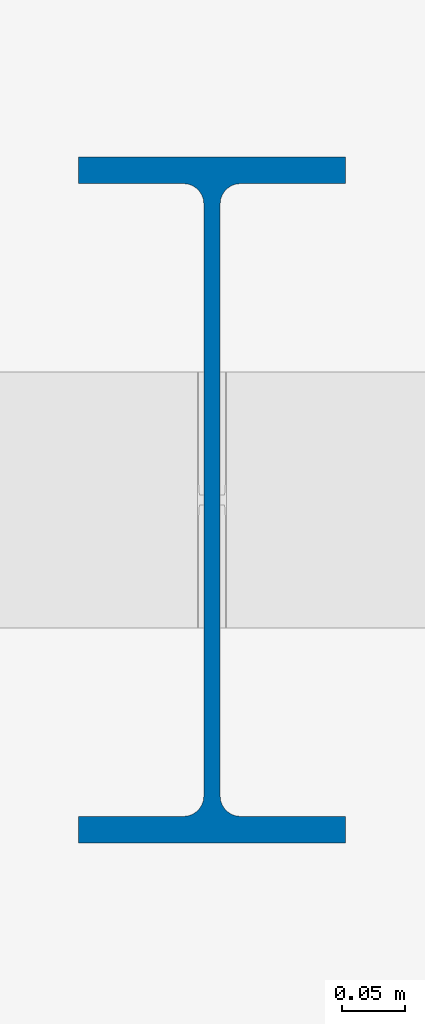
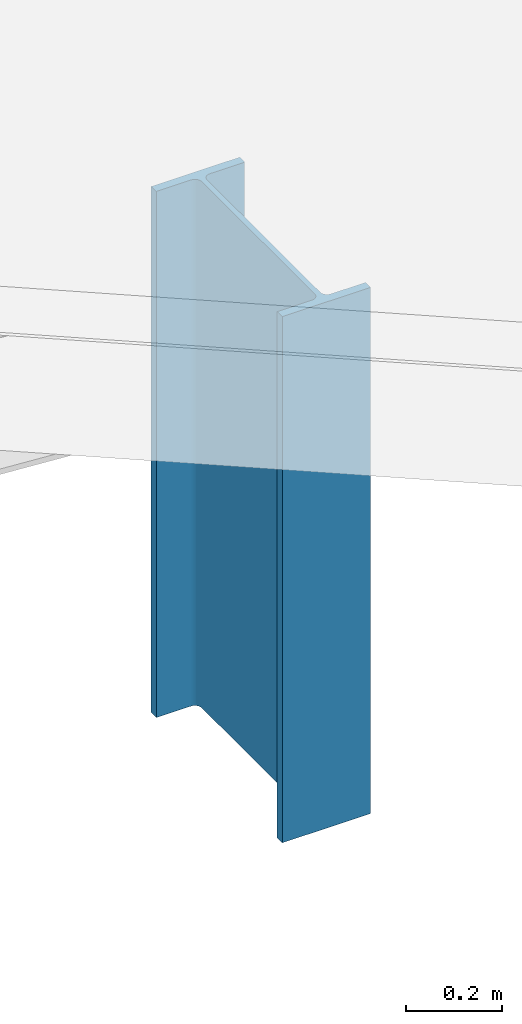
# One storey, part 11 of 136: 1 column.
"""IFC4 building model written with IfcOpenShell, lengths in metres."""

import ifcopenshell
import ifcopenshell.guid

model = None  # the IFC model being written
_history = None  # IfcOwnerHistory: only IFC2X3 demands one
_inside = {}  # id of a spatial element -> (the spatial element, [elements in it])
_under = {}  # id of a project, library or spatial element -> (it, [spatial elements below it])
_declared = {}  # id of a project -> (the project, [libraries it declares])
_typed = {}  # id of a type object -> (the type object, [elements of that type])
_made_of = {}  # id of a material, layer set ... -> (it, [elements and type objects made of it])


def new_model(schema):
    """Start an empty IFC model of exactly this schema.

    Asked for "IFC4X3", IfcOpenShell would pick the latest addendum, in which some entities
    have other attributes; the version numbers below select the first issue.
    IFC2X3 requires an IfcOwnerHistory on every rooted entity: one is made here for all.
    """
    global model, _history
    if schema == "IFC4X3":
        model = ifcopenshell.file(schema_version=(4, 3, 0, 0))
    else:
        model = ifcopenshell.file(schema=schema)
    _inside.clear()
    _under.clear()
    _declared.clear()
    _typed.clear()
    _made_of.clear()
    _history = None
    if model.schema == "IFC2X3":
        org = make("IfcOrganization", Name="unknown")
        user = make(
            "IfcPersonAndOrganization",
            ThePerson=make("IfcPerson", FamilyName="unknown"),
            TheOrganization=org,
        )
        app = make(
            "IfcApplication",
            ApplicationDeveloper=org,
            Version="unknown",
            ApplicationFullName="unknown",
            ApplicationIdentifier="unknown",
        )
        _history = make(
            "IfcOwnerHistory",
            OwningUser=user,
            OwningApplication=app,
            ChangeAction="ADDED",
            CreationDate=0,
        )
    return model


def make(cls, **values):
    """One entity of the class cls with the attributes given. An attribute that is None is left unset."""
    return model.create_entity(
        cls, **{name: value for name, value in values.items() if value is not None}
    )


def rooted(cls, **values):
    """An entity with a GlobalId (a new one), such as an element, a storey or a relation."""
    return make(cls, GlobalId=ifcopenshell.guid.new(), OwnerHistory=_history, **values)


def si_unit(unit_type, name, prefix=None):
    """IfcSIUnit, for example si_unit("LENGTHUNIT", "METRE", prefix="MILLI")."""
    return make("IfcSIUnit", UnitType=unit_type, Prefix=prefix, Name=name)


def assignment(units):
    """IfcUnitAssignment: the units of a project."""
    return None if units is None else make("IfcUnitAssignment", Units=units)


def point(xyz):
    """IfcCartesianPoint."""
    return None if xyz is None else make("IfcCartesianPoint", Coordinates=xyz)


def direction(xyz):
    """IfcDirection."""
    return None if xyz is None else make("IfcDirection", DirectionRatios=xyz)


def frame(location, z_axis=None, x_axis=None):
    """IfcAxis2Placement3D, a coordinate frame: its origin and axes. An axis left out is left unset."""
    return make(
        "IfcAxis2Placement3D",
        Location=point(location),
        Axis=direction(z_axis),
        RefDirection=direction(x_axis),
    )


def frame_2d(location, x_axis=None):
    """IfcAxis2Placement2D, a coordinate frame in the plane: its origin and x axis."""
    return make(
        "IfcAxis2Placement2D", Location=point(location), RefDirection=direction(x_axis)
    )


def origin():
    """The frame at (0, 0, 0) with its axes left unset."""
    return frame((0.0, 0.0, 0.0))


def origin_2d():
    """The frame at (0, 0) in the plane with its x axis left unset."""
    return frame_2d((0.0, 0.0))


def place(relative_to, where):
    """IfcLocalPlacement: puts the frame where relative to a parent placement (None: the world)."""
    return make(
        "IfcLocalPlacement", PlacementRelTo=relative_to, RelativePlacement=where
    )


def context(
    kind, dimensions, precision=None, world=None, true_north=None, identifier=None
):
    """IfcGeometricRepresentationContext, for example the 3D "Model" context."""
    return make(
        "IfcGeometricRepresentationContext",
        ContextIdentifier=identifier,
        ContextType=kind,
        CoordinateSpaceDimension=dimensions,
        Precision=precision,
        WorldCoordinateSystem=world,
        TrueNorth=true_north,
    )


def subcontext(parent, identifier, kind, view, scale=None):
    """IfcGeometricRepresentationSubContext, for example "Body" below "Model"."""
    return make(
        "IfcGeometricRepresentationSubContext",
        ContextIdentifier=identifier,
        ContextType=kind,
        ParentContext=parent,
        TargetScale=scale,
        TargetView=view,
    )


def project(units=None, contexts=None):
    """IfcProject with its units and contexts."""
    return rooted(
        "IfcProject",
        Name="project",
        RepresentationContexts=contexts,
        UnitsInContext=assignment(units),
    )


def spatial(cls, under=None, at=None, **own):
    """A site, building, storey or space (cls), placed at a placement, below another one or the project."""
    s = rooted(cls, ObjectPlacement=at, **own)
    if under is not None:
        _under.setdefault(under.id(), (under, []))[1].append(s)
    return s


def profile(cls, at=None, kind="AREA", **sizes):
    """A parametric profile (cls). Its sizes go by their IFC names, for example OverallWidth=200.0."""
    return make(cls, ProfileType=kind, Position=at, **sizes)


def i_section(**sizes):
    """IfcIShapeProfileDef."""
    return profile("IfcIShapeProfileDef", **sizes)


def extrude(swept, where, along, depth):
    """IfcExtrudedAreaSolid: the profile swept, set in the frame where, extruded along a direction by depth."""
    return make(
        "IfcExtrudedAreaSolid",
        SweptArea=swept,
        Position=where,
        ExtrudedDirection=direction(along),
        Depth=depth,
    )


def shape(context_of_items, identifier, shape_type, items):
    """IfcShapeRepresentation: the items that make up one representation, for example the "Body"."""
    return make(
        "IfcShapeRepresentation",
        ContextOfItems=context_of_items,
        RepresentationIdentifier=identifier,
        RepresentationType=shape_type,
        Items=items,
    )


def material(Name=None, Category=None):
    """IfcMaterial."""
    return make("IfcMaterial", Name=Name, Category=Category)


def material_profile(
    of_material, cross_section, Name=None, Category=None, Priority=None
):
    """IfcMaterialProfile: a cross section and its material."""
    return make(
        "IfcMaterialProfile",
        Name=Name,
        Material=of_material,
        Profile=cross_section,
        Priority=Priority,
        Category=Category,
    )


def profile_set(profiles, Name=None, composite=None):
    """IfcMaterialProfileSet."""
    return make(
        "IfcMaterialProfileSet",
        Name=Name,
        MaterialProfiles=profiles,
        CompositeProfile=composite,
    )


def made_of(thing, what):
    """Note that an element or type object is made of a material, layer set ...; save() writes the relation."""
    if what is not None:
        _made_of.setdefault(what.id(), (what, []))[1].append(thing)
    return thing


def type_object(cls, material=None, **own):
    """A type object (cls), such as IfcWallType, which elements share."""
    return made_of(rooted(cls, **own), material)


def element(
    cls,
    number,
    at=None,
    inside=None,
    cuts=None,
    type_object=None,
    material=None,
    context=None,
    identifier="Body",
    shape_type=None,
    held_by="IfcProductDefinitionShape",
    body=None,
    shapes=None,
    **own,
):
    """One element of the class cls, such as IfcWall. Its Tag is "e" and its number.

    at: its placement. inside: the storey or other place that contains it. cuts: it is an
    opening in that element (IfcRelVoidsElement). A single representation is given by context,
    identifier, shape_type and body (its items); several are given by shapes. held_by: the class
    of the entity that holds the representations. save() writes the other relations.
    """
    e = rooted(cls, Tag="e%d" % number, ObjectPlacement=at, **own)
    if body is not None:
        shapes = [shape(context, identifier, shape_type, body)]
    if shapes is not None:
        e.Representation = make(held_by, Representations=shapes)
    if inside is not None:
        _inside.setdefault(inside.id(), (inside, []))[1].append(e)
    if cuts is not None:
        rooted(
            "IfcRelVoidsElement", RelatingBuildingElement=cuts, RelatedOpeningElement=e
        )
    if type_object is not None:
        _typed.setdefault(type_object.id(), (type_object, []))[1].append(e)
    return made_of(e, material)


def aggregate(whole, parts):
    """IfcRelAggregates: a whole, such as a stair, and the parts it consists of."""
    return rooted("IfcRelAggregates", RelatingObject=whole, RelatedObjects=parts)


def save(model, path):
    """Write the relations noted so far, then the file.

    IfcRelAggregates (storeys below a building ...), IfcRelContainedInSpatialStructure (elements
    in a storey), IfcRelDefinesByType, IfcRelAssociatesMaterial and IfcRelDeclares: one each for
    every whole, place, type object, material and project.
    """
    for whole, parts in _under.values():
        aggregate(whole, parts)
    for where, things in _inside.values():
        rooted(
            "IfcRelContainedInSpatialStructure",
            RelatedElements=things,
            RelatingStructure=where,
        )
    for kind, things in _typed.values():
        rooted("IfcRelDefinesByType", RelatedObjects=things, RelatingType=kind)
    for what, things in _made_of.values():
        rooted("IfcRelAssociatesMaterial", RelatedObjects=things, RelatingMaterial=what)
    for by, libraries in _declared.values():
        rooted("IfcRelDeclares", RelatingContext=by, RelatedDefinitions=libraries)
    model.write(path)


model = new_model("IFC4")

# Units and contexts
model_context = context("Model", 3, precision=1e-05, world=origin(), true_north=direction((0.0, 1.0)))
body_context = subcontext(model_context, "Body", "Model", "MODEL_VIEW")
ifc_project = project(units=[si_unit("LENGTHUNIT", "METRE"), si_unit("AREAUNIT", "SQUARE_METRE"), si_unit("VOLUMEUNIT", "CUBIC_METRE"), si_unit("PLANEANGLEUNIT", "RADIAN"), si_unit("MASSUNIT", "GRAM", prefix="KILO")], contexts=[model_context])

# Site, building, storey
site_placement = place(None, origin())
site = spatial("IfcSite", under=ifc_project, at=site_placement, CompositionType="ELEMENT")
building_placement = place(site_placement, origin())
building = spatial("IfcBuilding", under=site, at=building_placement, Name="Brinegate Civic Arena", CompositionType="ELEMENT")
storey_placement = place(building_placement, frame((0.0, 0.0, 5.39990234375)))
storey = spatial("IfcBuildingStorey", under=building, at=storey_placement, Name="L01", CompositionType="ELEMENT", Elevation=5.39990234375)

# Column
ifc_material = material(Name="Steel S355", Category="steel")
ifc_material_profile = material_profile(ifc_material, i_section(OverallWidth=0.2119140625, OverallDepth=0.5439453125, WebThickness=0.012939453125, FlangeThickness=0.02099609375, FilletRadius=0.01611328125, at=origin_2d()), Name="W530X123")
ifc_profile_set = profile_set([ifc_material_profile], Name="Steel S355")
column_type = type_object("IfcColumnType", Name="COL-SC02-W530", PredefinedType="COLUMN", material=ifc_profile_set)
column_placement = place(storey_placement, frame((200.0, 62.0, 0.0), z_axis=(0.0, 0.0, 1.0), x_axis=(1.0, 0.0, 0.0)))
element("IfcColumn", 1, at=column_placement, inside=storey, type_object=column_type, Name="Dock Roof Column COL-L01-18-G", PredefinedType="COLUMN", context=body_context, shape_type="SweptSolid", body=[
    extrude(i_section(OverallWidth=0.2119140625, OverallDepth=0.5439453125, WebThickness=0.012939453125, FlangeThickness=0.02099609375, FilletRadius=0.01611328125, at=origin_2d()), origin(), (0.0, 0.0, 1.0), 1.3330078125),
])

save(model, "model.ifc")
